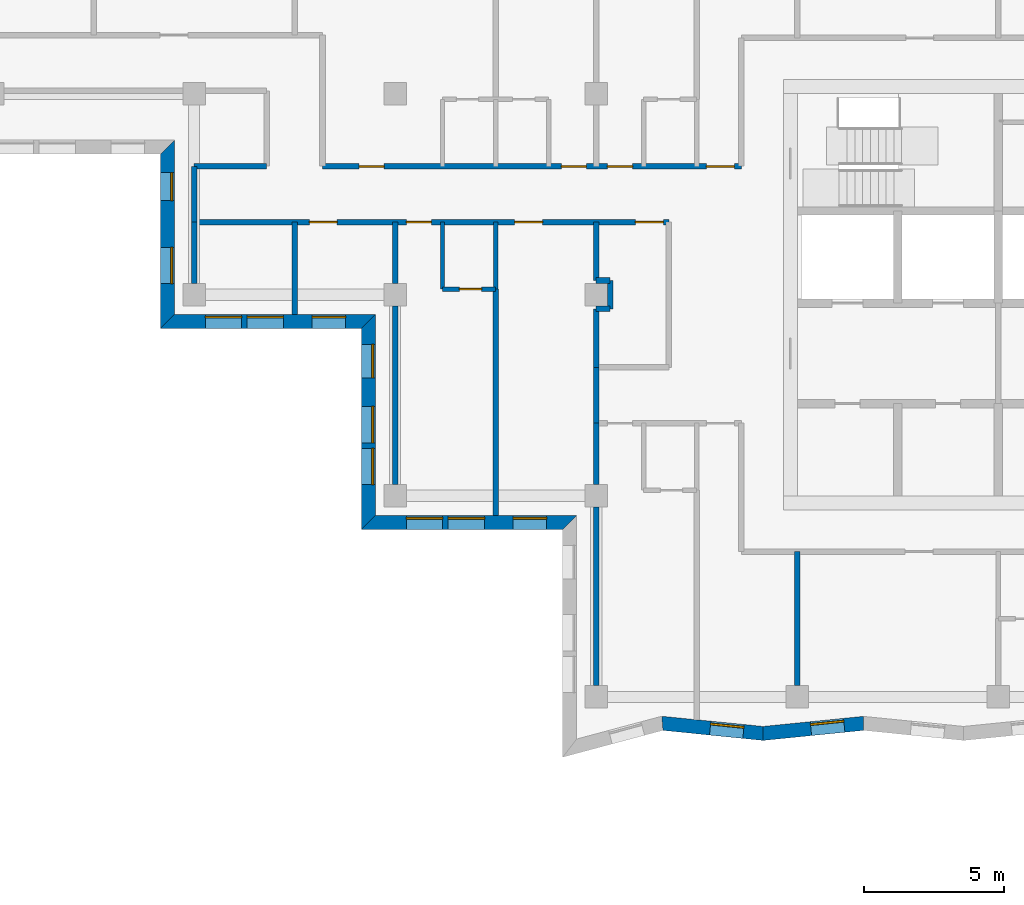
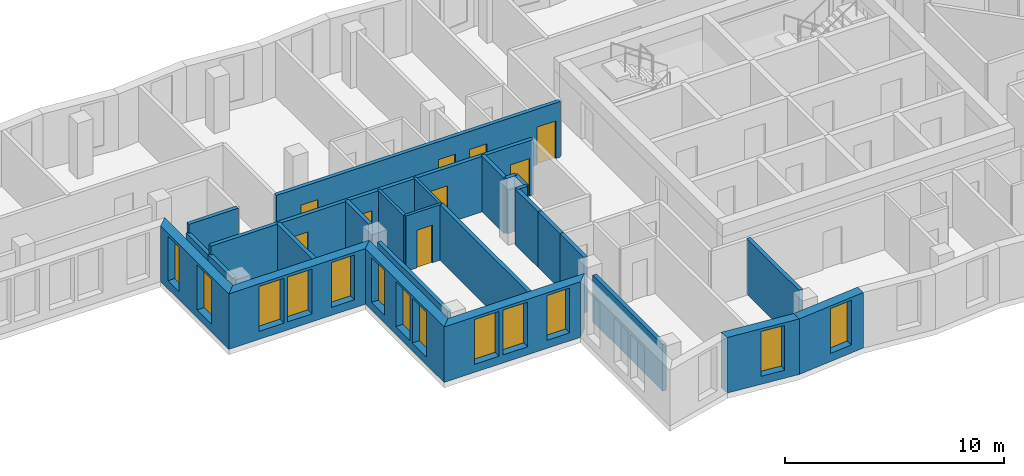
# One storey, part 2 of 11: 27 walls, 13 windows, 9 doors, 22 openings.
"""IFC4 building model written with IfcOpenShell, lengths in metres."""

from ifc_helpers import new_model, si_unit, direction, frame, frame_2d, origin, place, context, subcontext, project, spatial, polyline, rectangle, outline, extrude, material, layer, layer_set, type_object, element, fill, save


model = new_model("IFC4")

# Units and contexts
model_context = context("Model", 3, precision=1e-05, world=origin(), true_north=direction((0.0, 1.0)))
body_context = subcontext(model_context, "Body", "Model", "MODEL_VIEW")
ifc_project = project(units=[si_unit("LENGTHUNIT", "METRE"), si_unit("AREAUNIT", "SQUARE_METRE"), si_unit("VOLUMEUNIT", "CUBIC_METRE"), si_unit("PLANEANGLEUNIT", "RADIAN"), si_unit("MASSUNIT", "GRAM", prefix="KILO")], contexts=[model_context])

# Site, building, storey
site_placement = place(None, origin())
site = spatial("IfcSite", under=ifc_project, at=site_placement, CompositionType="ELEMENT")
building_placement = place(site_placement, origin())
building = spatial("IfcBuilding", under=site, at=building_placement, Name="Windrow Commons", CompositionType="ELEMENT")
storey_placement = place(building_placement, frame((0.0, 0.0, 196.4)))
storey = spatial("IfcBuildingStorey", under=building, at=storey_placement, Name="L53", CompositionType="ELEMENT", Elevation=196.4)

# Wall, openings, windows
ifc_material_1 = material(Name="Brick masonry, red clay brick", Category="masonry")
ifc_layer_1 = layer(ifc_material_1, 0.5)
ifc_layer_set_1 = layer_set([ifc_layer_1], Name="Brick facade wall 500")
wall_type_1 = type_object("IfcWallType", Name="Brick facade wall 500", PredefinedType="SOLIDWALL", material=ifc_layer_set_1)
wall_1_placement = place(storey_placement, frame((35.05, 62.889, 0.0), z_axis=(0.0, 0.0, 1.0), x_axis=(0.0, -1.0, 0.0)))
wall_1 = element("IfcWall", 1, at=wall_1_placement, inside=storey, type_object=wall_type_1, Name="Brick facade wall L53 35", PredefinedType="SOLIDWALL", context=body_context, shape_type="SweptSolid", body=[
    extrude(outline(polyline([(0.25, -0.25), (6.489, -0.25), (5.989, 0.25), (-0.25, 0.25), (0.25, -0.25)])), origin(), (0.0, 0.0, 1.0), 3.1),
])
opening_1_placement = place(wall_1_placement, frame((3.589, 0.0, 0.45)))
opening_1 = element("IfcOpeningElement", 2, at=opening_1_placement, cuts=wall_1, Name="Opening W1Q", PredefinedType="OPENING", context=body_context, shape_type="SweptSolid", body=[
    extrude(rectangle(XDim=1.3, YDim=2.5, at=frame_2d((0.65, 1.25))), frame((0.0, 0.26, 0.0), z_axis=(0.0, -1.0, 0.0), x_axis=(1.0, 0.0, 0.0)), (0.0, 0.0, 1.0), 0.52),
])
opening_2_placement = place(wall_1_placement, frame((0.914, 0.0, 0.45)))
opening_2 = element("IfcOpeningElement", 3, at=opening_2_placement, cuts=wall_1, Name="Opening W1S", PredefinedType="OPENING", context=body_context, shape_type="SweptSolid", body=[
    extrude(rectangle(XDim=1.0, YDim=2.5, at=frame_2d((0.5, 1.25))), frame((0.0, 0.26, 0.0), z_axis=(0.0, -1.0, 0.0), x_axis=(1.0, 0.0, 0.0)), (0.0, 0.0, 1.0), 0.52),
])
ifc_material_2 = material(Name="Clear float glass in anodised aluminium frame", Category="aluminium")
window_type_1 = type_object("IfcWindowType", Name="Window W1Q pair 1300x2500", PartitioningType="SINGLE_PANEL", PredefinedType="WINDOW", material=ifc_material_2)
window_1_placement = place(opening_1_placement, origin())
window_1 = element("IfcWindow", 4, at=window_1_placement, inside=storey, type_object=window_type_1, Name="Window L53 35.1B", OverallHeight=2.5, OverallWidth=1.3, PartitioningType="SINGLE_PANEL", PredefinedType="WINDOW", context=body_context, shape_type="SweptSolid", body=[
    extrude(rectangle(XDim=1.3, YDim=2.5, at=frame_2d((0.65, 1.25))), frame((0.0, 0.18, 0.0), z_axis=(0.0, -1.0, 0.0), x_axis=(1.0, 0.0, 0.0)), (0.0, 0.0, 1.0), 0.06),
])
fill(opening_1, window_1)
ifc_material_3 = material(Name="Clear float glass in anodised aluminium frame", Category="aluminium")
window_type_2 = type_object("IfcWindowType", Name="Window W1S slit 1000x2500", PartitioningType="SINGLE_PANEL", PredefinedType="WINDOW", material=ifc_material_3)
window_2_placement = place(opening_2_placement, origin())
window_2 = element("IfcWindow", 5, at=window_2_placement, inside=storey, type_object=window_type_2, Name="Window L53 35.2A", OverallHeight=2.5, OverallWidth=1.0, PartitioningType="SINGLE_PANEL", PredefinedType="WINDOW", context=body_context, shape_type="SweptSolid", body=[
    extrude(rectangle(XDim=1.0, YDim=2.5, at=frame_2d((0.5, 1.25))), frame((0.0, 0.18, 0.0), z_axis=(0.0, -1.0, 0.0), x_axis=(1.0, 0.0, 0.0)), (0.0, 0.0, 1.0), 0.06),
])
fill(opening_2, window_2)

wall_2_placement = place(storey_placement, frame((35.05, 56.65, 0.0), z_axis=(0.0, 0.0, 1.0), x_axis=(1.0, 0.0, 0.0)))
wall_2 = element("IfcWall", 6, at=wall_2_placement, inside=storey, type_object=wall_type_1, Name="Brick facade wall L53 36", PredefinedType="SOLIDWALL", context=body_context, shape_type="SweptSolid", body=[
    extrude(outline(polyline([(-0.25, -0.25), (6.95, -0.25), (7.45, 0.25), (0.25, 0.25), (-0.25, -0.25)])), origin(), (0.0, 0.0, 1.0), 3.1),
])
opening_3_placement = place(wall_2_placement, frame((1.35, 0.0, 0.45)))
opening_3 = element("IfcOpeningElement", 7, at=opening_3_placement, cuts=wall_2, Name="Opening W1Q", PredefinedType="OPENING", context=body_context, shape_type="SweptSolid", body=[
    extrude(rectangle(XDim=1.3, YDim=2.5, at=frame_2d((0.65, 1.25))), frame((0.0, 0.26, 0.0), z_axis=(0.0, -1.0, 0.0), x_axis=(1.0, 0.0, 0.0)), (0.0, 0.0, 1.0), 0.52),
])
opening_4_placement = place(wall_2_placement, frame((2.85, 0.0, 0.45)))
opening_4 = element("IfcOpeningElement", 8, at=opening_4_placement, cuts=wall_2, Name="Opening W1Q", PredefinedType="OPENING", context=body_context, shape_type="SweptSolid", body=[
    extrude(rectangle(XDim=1.3, YDim=2.5, at=frame_2d((0.65, 1.25))), frame((0.0, 0.26, 0.0), z_axis=(0.0, -1.0, 0.0), x_axis=(1.0, 0.0, 0.0)), (0.0, 0.0, 1.0), 0.52),
])
opening_5_placement = place(wall_2_placement, frame((5.175, 0.0, 0.45)))
opening_5 = element("IfcOpeningElement", 9, at=opening_5_placement, cuts=wall_2, Name="Opening W7E", PredefinedType="OPENING", context=body_context, shape_type="SweptSolid", body=[
    extrude(rectangle(XDim=1.2, YDim=2.5, at=frame_2d((0.6, 1.25))), frame((0.0, 0.26, 0.0), z_axis=(0.0, -1.0, 0.0), x_axis=(1.0, 0.0, 0.0)), (0.0, 0.0, 1.0), 0.52),
])
window_3_placement = place(opening_3_placement, origin())
window_3 = element("IfcWindow", 10, at=window_3_placement, inside=storey, type_object=window_type_1, Name="Window L53 36.1A", OverallHeight=2.5, OverallWidth=1.3, PartitioningType="SINGLE_PANEL", PredefinedType="WINDOW", context=body_context, shape_type="SweptSolid", body=[
    extrude(rectangle(XDim=1.3, YDim=2.5, at=frame_2d((0.65, 1.25))), frame((0.0, 0.18, 0.0), z_axis=(0.0, -1.0, 0.0), x_axis=(1.0, 0.0, 0.0)), (0.0, 0.0, 1.0), 0.06),
])
fill(opening_3, window_3)
window_4_placement = place(opening_4_placement, origin())
window_4 = element("IfcWindow", 11, at=window_4_placement, inside=storey, type_object=window_type_1, Name="Window L53 36.1B", OverallHeight=2.5, OverallWidth=1.3, PartitioningType="SINGLE_PANEL", PredefinedType="WINDOW", context=body_context, shape_type="SweptSolid", body=[
    extrude(rectangle(XDim=1.3, YDim=2.5, at=frame_2d((0.65, 1.25))), frame((0.0, 0.18, 0.0), z_axis=(0.0, -1.0, 0.0), x_axis=(1.0, 0.0, 0.0)), (0.0, 0.0, 1.0), 0.06),
])
fill(opening_4, window_4)
ifc_material_4 = material(Name="Clear float glass in anodised aluminium frame", Category="aluminium")
window_type_3 = type_object("IfcWindowType", Name="Window W7 notch 1200x2500", PartitioningType="SINGLE_PANEL", PredefinedType="WINDOW", material=ifc_material_4)
window_5_placement = place(opening_5_placement, origin())
window_5 = element("IfcWindow", 12, at=window_5_placement, inside=storey, type_object=window_type_3, Name="Window L53 36.2", OverallHeight=2.5, OverallWidth=1.2, PartitioningType="SINGLE_PANEL", PredefinedType="WINDOW", context=body_context, shape_type="SweptSolid", body=[
    extrude(rectangle(XDim=1.2, YDim=2.5, at=frame_2d((0.6, 1.25))), frame((0.0, 0.18, 0.0), z_axis=(0.0, -1.0, 0.0), x_axis=(1.0, 0.0, 0.0)), (0.0, 0.0, 1.0), 0.06),
])
fill(opening_5, window_5)

wall_3_placement = place(storey_placement, frame((42.25, 56.65, 0.0), z_axis=(0.0, 0.0, 1.0), x_axis=(0.0, -1.0, 0.0)))
wall_3 = element("IfcWall", 13, at=wall_3_placement, inside=storey, type_object=wall_type_1, Name="Brick facade wall L53 37", PredefinedType="SOLIDWALL", context=body_context, shape_type="SweptSolid", body=[
    extrude(outline(polyline([(0.25, -0.25), (7.45, -0.25), (6.95, 0.25), (-0.25, 0.25), (0.25, -0.25)])), origin(), (0.0, 0.0, 1.0), 3.1),
])
opening_6_placement = place(wall_3_placement, frame((3.05, 0.0, 0.45)))
opening_6 = element("IfcOpeningElement", 14, at=opening_6_placement, cuts=wall_3, Name="Opening W1Q", PredefinedType="OPENING", context=body_context, shape_type="SweptSolid", body=[
    extrude(rectangle(XDim=1.3, YDim=2.5, at=frame_2d((0.65, 1.25))), frame((0.0, 0.26, 0.0), z_axis=(0.0, -1.0, 0.0), x_axis=(1.0, 0.0, 0.0)), (0.0, 0.0, 1.0), 0.52),
])
opening_7_placement = place(wall_3_placement, frame((4.55, 0.0, 0.45)))
opening_7 = element("IfcOpeningElement", 15, at=opening_7_placement, cuts=wall_3, Name="Opening W1Q", PredefinedType="OPENING", context=body_context, shape_type="SweptSolid", body=[
    extrude(rectangle(XDim=1.3, YDim=2.5, at=frame_2d((0.65, 1.25))), frame((0.0, 0.26, 0.0), z_axis=(0.0, -1.0, 0.0), x_axis=(1.0, 0.0, 0.0)), (0.0, 0.0, 1.0), 0.52),
])
opening_8_placement = place(wall_3_placement, frame((0.825, 0.0, 0.45)))
opening_8 = element("IfcOpeningElement", 16, at=opening_8_placement, cuts=wall_3, Name="Opening W7E", PredefinedType="OPENING", context=body_context, shape_type="SweptSolid", body=[
    extrude(rectangle(XDim=1.2, YDim=2.5, at=frame_2d((0.6, 1.25))), frame((0.0, 0.26, 0.0), z_axis=(0.0, -1.0, 0.0), x_axis=(1.0, 0.0, 0.0)), (0.0, 0.0, 1.0), 0.52),
])
window_6_placement = place(opening_6_placement, origin())
window_6 = element("IfcWindow", 17, at=window_6_placement, inside=storey, type_object=window_type_1, Name="Window L53 37.1A", OverallHeight=2.5, OverallWidth=1.3, PartitioningType="SINGLE_PANEL", PredefinedType="WINDOW", context=body_context, shape_type="SweptSolid", body=[
    extrude(rectangle(XDim=1.3, YDim=2.5, at=frame_2d((0.65, 1.25))), frame((0.0, 0.18, 0.0), z_axis=(0.0, -1.0, 0.0), x_axis=(1.0, 0.0, 0.0)), (0.0, 0.0, 1.0), 0.06),
])
fill(opening_6, window_6)
window_7_placement = place(opening_7_placement, origin())
window_7 = element("IfcWindow", 18, at=window_7_placement, inside=storey, type_object=window_type_1, Name="Window L53 37.1B", OverallHeight=2.5, OverallWidth=1.3, PartitioningType="SINGLE_PANEL", PredefinedType="WINDOW", context=body_context, shape_type="SweptSolid", body=[
    extrude(rectangle(XDim=1.3, YDim=2.5, at=frame_2d((0.65, 1.25))), frame((0.0, 0.18, 0.0), z_axis=(0.0, -1.0, 0.0), x_axis=(1.0, 0.0, 0.0)), (0.0, 0.0, 1.0), 0.06),
])
fill(opening_7, window_7)
window_8_placement = place(opening_8_placement, origin())
window_8 = element("IfcWindow", 19, at=window_8_placement, inside=storey, type_object=window_type_3, Name="Window L53 37.2", OverallHeight=2.5, OverallWidth=1.2, PartitioningType="SINGLE_PANEL", PredefinedType="WINDOW", context=body_context, shape_type="SweptSolid", body=[
    extrude(rectangle(XDim=1.2, YDim=2.5, at=frame_2d((0.6, 1.25))), frame((0.0, 0.18, 0.0), z_axis=(0.0, -1.0, 0.0), x_axis=(1.0, 0.0, 0.0)), (0.0, 0.0, 1.0), 0.06),
])
fill(opening_8, window_8)

wall_4_placement = place(storey_placement, frame((42.25, 49.45, 0.0), z_axis=(0.0, 0.0, 1.0), x_axis=(1.0, 0.0, 0.0)))
wall_4 = element("IfcWall", 20, at=wall_4_placement, inside=storey, type_object=wall_type_1, Name="Brick facade wall L53 38", PredefinedType="SOLIDWALL", context=body_context, shape_type="SweptSolid", body=[
    extrude(outline(polyline([(-0.25, -0.25), (6.95, -0.25), (7.45, 0.25), (0.25, 0.25), (-0.25, -0.25)])), origin(), (0.0, 0.0, 1.0), 3.1),
])
opening_9_placement = place(wall_4_placement, frame((1.35, 0.0, 0.45)))
opening_9 = element("IfcOpeningElement", 21, at=opening_9_placement, cuts=wall_4, Name="Opening W1Q", PredefinedType="OPENING", context=body_context, shape_type="SweptSolid", body=[
    extrude(rectangle(XDim=1.3, YDim=2.5, at=frame_2d((0.65, 1.25))), frame((0.0, 0.26, 0.0), z_axis=(0.0, -1.0, 0.0), x_axis=(1.0, 0.0, 0.0)), (0.0, 0.0, 1.0), 0.52),
])
opening_10_placement = place(wall_4_placement, frame((2.85, 0.0, 0.45)))
opening_10 = element("IfcOpeningElement", 22, at=opening_10_placement, cuts=wall_4, Name="Opening W1Q", PredefinedType="OPENING", context=body_context, shape_type="SweptSolid", body=[
    extrude(rectangle(XDim=1.3, YDim=2.5, at=frame_2d((0.65, 1.25))), frame((0.0, 0.26, 0.0), z_axis=(0.0, -1.0, 0.0), x_axis=(1.0, 0.0, 0.0)), (0.0, 0.0, 1.0), 0.52),
])
opening_11_placement = place(wall_4_placement, frame((5.175, 0.0, 0.45)))
opening_11 = element("IfcOpeningElement", 23, at=opening_11_placement, cuts=wall_4, Name="Opening W7E", PredefinedType="OPENING", context=body_context, shape_type="SweptSolid", body=[
    extrude(rectangle(XDim=1.2, YDim=2.5, at=frame_2d((0.6, 1.25))), frame((0.0, 0.26, 0.0), z_axis=(0.0, -1.0, 0.0), x_axis=(1.0, 0.0, 0.0)), (0.0, 0.0, 1.0), 0.52),
])
window_9_placement = place(opening_9_placement, origin())
window_9 = element("IfcWindow", 24, at=window_9_placement, inside=storey, type_object=window_type_1, Name="Window L53 38.1A", OverallHeight=2.5, OverallWidth=1.3, PartitioningType="SINGLE_PANEL", PredefinedType="WINDOW", context=body_context, shape_type="SweptSolid", body=[
    extrude(rectangle(XDim=1.3, YDim=2.5, at=frame_2d((0.65, 1.25))), frame((0.0, 0.18, 0.0), z_axis=(0.0, -1.0, 0.0), x_axis=(1.0, 0.0, 0.0)), (0.0, 0.0, 1.0), 0.06),
])
fill(opening_9, window_9)
window_10_placement = place(opening_10_placement, origin())
window_10 = element("IfcWindow", 25, at=window_10_placement, inside=storey, type_object=window_type_1, Name="Window L53 38.1B", OverallHeight=2.5, OverallWidth=1.3, PartitioningType="SINGLE_PANEL", PredefinedType="WINDOW", context=body_context, shape_type="SweptSolid", body=[
    extrude(rectangle(XDim=1.3, YDim=2.5, at=frame_2d((0.65, 1.25))), frame((0.0, 0.18, 0.0), z_axis=(0.0, -1.0, 0.0), x_axis=(1.0, 0.0, 0.0)), (0.0, 0.0, 1.0), 0.06),
])
fill(opening_10, window_10)
window_11_placement = place(opening_11_placement, origin())
window_11 = element("IfcWindow", 26, at=window_11_placement, inside=storey, type_object=window_type_3, Name="Window L53 38.2", OverallHeight=2.5, OverallWidth=1.2, PartitioningType="SINGLE_PANEL", PredefinedType="WINDOW", context=body_context, shape_type="SweptSolid", body=[
    extrude(rectangle(XDim=1.2, YDim=2.5, at=frame_2d((0.6, 1.25))), frame((0.0, 0.18, 0.0), z_axis=(0.0, -1.0, 0.0), x_axis=(1.0, 0.0, 0.0)), (0.0, 0.0, 1.0), 0.06),
])
fill(opening_11, window_11)

# Wall, opening, window
wall_5_placement = place(storey_placement, frame((52.7691, 42.2533, 0.0), z_axis=(0.0, 0.0, 1.0), x_axis=(0.9949827385, -0.1000467394, 0.0)))
wall_5 = element("IfcWall", 27, at=wall_5_placement, inside=storey, type_object=wall_type_1, Name="Brick facade wall L53 41", PredefinedType="SOLIDWALL", context=body_context, shape_type="SweptSolid", body=[
    extrude(outline(polyline([(0.0457, -0.25), (3.6534, -0.25), (3.6032, 0.25), (-0.0457, 0.25), (0.0457, -0.25)])), origin(), (0.0, 0.0, 1.0), 3.1),
])
opening_12_placement = place(wall_5_placement, frame((1.7201, 0.0, 0.45)))
opening_12 = element("IfcOpeningElement", 28, at=opening_12_placement, cuts=wall_5, Name="Opening W7E", PredefinedType="OPENING", context=body_context, shape_type="SweptSolid", body=[
    extrude(rectangle(XDim=1.2, YDim=2.5, at=frame_2d((0.6, 1.25))), frame((0.0, 0.26, 0.0), z_axis=(0.0, -1.0, 0.0), x_axis=(1.0, 0.0, 0.0)), (0.0, 0.0, 1.0), 0.52),
])
window_12_placement = place(opening_12_placement, origin())
window_12 = element("IfcWindow", 29, at=window_12_placement, inside=storey, type_object=window_type_3, Name="Window L53 41.1", OverallHeight=2.5, OverallWidth=1.2, PartitioningType="SINGLE_PANEL", PredefinedType="WINDOW", context=body_context, shape_type="SweptSolid", body=[
    extrude(rectangle(XDim=1.2, YDim=2.5, at=frame_2d((0.6, 1.25))), frame((0.0, 0.18, 0.0), z_axis=(0.0, -1.0, 0.0), x_axis=(1.0, 0.0, 0.0)), (0.0, 0.0, 1.0), 0.06),
])
fill(opening_12, window_12)

wall_6_placement = place(storey_placement, frame((56.3792, 41.8903, 0.0), z_axis=(0.0, 0.0, 1.0), x_axis=(0.994981047, 0.1000635608, 0.0)))
wall_6 = element("IfcWall", 30, at=wall_6_placement, inside=storey, type_object=wall_type_1, Name="Brick facade wall L53 42", PredefinedType="SOLIDWALL", context=body_context, shape_type="SweptSolid", body=[
    extrude(outline(polyline([(-0.0251, -0.25), (3.5826, -0.25), (3.6329, 0.25), (0.0251, 0.25), (-0.0251, -0.25)])), origin(), (0.0, 0.0, 1.0), 3.1),
])
opening_13_placement = place(wall_6_placement, frame((1.7173, 0.0, 0.45)))
opening_13 = element("IfcOpeningElement", 31, at=opening_13_placement, cuts=wall_6, Name="Opening W7E", PredefinedType="OPENING", context=body_context, shape_type="SweptSolid", body=[
    extrude(rectangle(XDim=1.2, YDim=2.5, at=frame_2d((0.6, 1.25))), frame((0.0, 0.26, 0.0), z_axis=(0.0, -1.0, 0.0), x_axis=(1.0, 0.0, 0.0)), (0.0, 0.0, 1.0), 0.52),
])
window_13_placement = place(opening_13_placement, origin())
window_13 = element("IfcWindow", 32, at=window_13_placement, inside=storey, type_object=window_type_3, Name="Window L53 42.1", OverallHeight=2.5, OverallWidth=1.2, PartitioningType="SINGLE_PANEL", PredefinedType="WINDOW", context=body_context, shape_type="SweptSolid", body=[
    extrude(rectangle(XDim=1.2, YDim=2.5, at=frame_2d((0.6, 1.25))), frame((0.0, 0.18, 0.0), z_axis=(0.0, -1.0, 0.0), x_axis=(1.0, 0.0, 0.0)), (0.0, 0.0, 1.0), 0.06),
])
fill(opening_13, window_13)

# Wall, openings, doors
ifc_material_5 = material(Name="Blockwork partition", Category="masonry")
ifc_layer_2 = layer(ifc_material_5, 0.2)
ifc_layer_set_2 = layer_set([ifc_layer_2], Name="IW-CORRIDOR-200")
wall_type_2 = type_object("IfcWallType", Name="IW-CORRIDOR-200", PredefinedType="PARTITIONING", material=ifc_layer_set_2)
wall_7_placement = place(storey_placement, frame((36.0, 60.2, 0.0), z_axis=(0.0, 0.0, 1.0), x_axis=(1.0, 0.0, 0.0)))
wall_7 = element("IfcWall", 33, at=wall_7_placement, inside=storey, type_object=wall_type_2, Name="W-L53-W003", PredefinedType="PARTITIONING", context=body_context, shape_type="SweptSolid", body=[
    extrude(rectangle(XDim=17.0, YDim=0.2, at=frame_2d((8.5, 0.0))), origin(), (0.0, 0.0, 1.0), 3.1),
])
opening_14_placement = place(wall_7_placement, frame((4.125, 0.0, 0.0)))
opening_14 = element("IfcOpeningElement", 34, at=opening_14_placement, cuts=wall_7, Name="Opening D310F", PredefinedType="OPENING", context=body_context, shape_type="SweptSolid", body=[
    extrude(rectangle(XDim=1.0, YDim=2.1, at=frame_2d((0.5, 1.05))), frame((0.0, 0.11, 0.0), z_axis=(0.0, -1.0, 0.0), x_axis=(1.0, 0.0, 0.0)), (0.0, 0.0, 1.0), 0.22),
])
opening_15_placement = place(wall_7_placement, frame((7.6, 0.0, 0.0)))
opening_15 = element("IfcOpeningElement", 35, at=opening_15_placement, cuts=wall_7, Name="Opening D109S", PredefinedType="OPENING", context=body_context, shape_type="SweptSolid", body=[
    extrude(rectangle(XDim=0.9, YDim=2.1, at=frame_2d((0.45, 1.05))), frame((0.0, 0.11, 0.0), z_axis=(0.0, -1.0, 0.0), x_axis=(1.0, 0.0, 0.0)), (0.0, 0.0, 1.0), 0.22),
])
opening_16_placement = place(wall_7_placement, frame((11.48, 0.0, 0.0)))
opening_16 = element("IfcOpeningElement", 36, at=opening_16_placement, cuts=wall_7, Name="Opening D310F", PredefinedType="OPENING", context=body_context, shape_type="SweptSolid", body=[
    extrude(rectangle(XDim=1.0, YDim=2.1, at=frame_2d((0.5, 1.05))), frame((0.0, 0.11, 0.0), z_axis=(0.0, -1.0, 0.0), x_axis=(1.0, 0.0, 0.0)), (0.0, 0.0, 1.0), 0.22),
])
opening_17_placement = place(wall_7_placement, frame((15.805, 0.0, 0.0)))
opening_17 = element("IfcOpeningElement", 37, at=opening_17_placement, cuts=wall_7, Name="Opening D410F", PredefinedType="OPENING", context=body_context, shape_type="SweptSolid", body=[
    extrude(rectangle(XDim=1.0, YDim=2.1, at=frame_2d((0.5, 1.05))), frame((0.0, 0.11, 0.0), z_axis=(0.0, -1.0, 0.0), x_axis=(1.0, 0.0, 0.0)), (0.0, 0.0, 1.0), 0.22),
])
ifc_material_6 = material(Name="Timber door leaf", Category="wood")
door_type_1 = type_object("IfcDoorType", Name="DT-AMENITY-1000", OperationType="SINGLE_SWING_LEFT", PredefinedType="DOOR", material=ifc_material_6)
door_1_placement = place(opening_14_placement, origin())
door_1 = element("IfcDoor", 38, at=door_1_placement, inside=storey, type_object=door_type_1, Name="D-L53-D007", OperationType="SINGLE_SWING_RIGHT", OverallHeight=2.1, OverallWidth=1.0, PredefinedType="DOOR", context=body_context, shape_type="SweptSolid", body=[
    extrude(rectangle(XDim=1.0, YDim=2.1, at=frame_2d((0.5, 1.05))), frame((0.0, 0.025, 0.0), z_axis=(0.0, -1.0, 0.0), x_axis=(1.0, 0.0, 0.0)), (0.0, 0.0, 1.0), 0.05),
])
fill(opening_14, door_1)
door_2_placement = place(opening_16_placement, origin())
door_2 = element("IfcDoor", 39, at=door_2_placement, inside=storey, type_object=door_type_1, Name="D-L53-D020", OperationType="SINGLE_SWING_RIGHT", OverallHeight=2.1, OverallWidth=1.0, PredefinedType="DOOR", context=body_context, shape_type="SweptSolid", body=[
    extrude(rectangle(XDim=1.0, YDim=2.1, at=frame_2d((0.5, 1.05))), frame((0.0, 0.025, 0.0), z_axis=(0.0, -1.0, 0.0), x_axis=(1.0, 0.0, 0.0)), (0.0, 0.0, 1.0), 0.05),
])
fill(opening_16, door_2)
ifc_material_7 = material(Name="Timber door leaf", Category="wood")
door_type_2 = type_object("IfcDoorType", Name="DT-BEDROOM-900", OperationType="SINGLE_SWING_LEFT", PredefinedType="DOOR", material=ifc_material_7)
door_3_placement = place(opening_15_placement, origin())
door_3 = element("IfcDoor", 40, at=door_3_placement, inside=storey, type_object=door_type_2, Name="D-L53-D008", OperationType="SINGLE_SWING_LEFT", OverallHeight=2.1, OverallWidth=0.9, PredefinedType="DOOR", context=body_context, shape_type="SweptSolid", body=[
    extrude(rectangle(XDim=0.9, YDim=2.1, at=frame_2d((0.45, 1.05))), frame((0.0, 0.025, 0.0), z_axis=(0.0, -1.0, 0.0), x_axis=(1.0, 0.0, 0.0)), (0.0, 0.0, 1.0), 0.05),
])
fill(opening_15, door_3)
ifc_material_8 = material(Name="Timber door leaf", Category="wood")
door_type_3 = type_object("IfcDoorType", Name="DT-SERVICE-1000", OperationType="SINGLE_SWING_LEFT", PredefinedType="DOOR", material=ifc_material_8)
door_4_placement = place(opening_17_placement, origin())
door_4 = element("IfcDoor", 41, at=door_4_placement, inside=storey, type_object=door_type_3, Name="D-L53-D021", OperationType="SINGLE_SWING_LEFT", OverallHeight=2.1, OverallWidth=1.0, PredefinedType="DOOR", context=body_context, shape_type="SweptSolid", body=[
    extrude(rectangle(XDim=1.0, YDim=2.1, at=frame_2d((0.5, 1.05))), frame((0.0, 0.025, 0.0), z_axis=(0.0, -1.0, 0.0), x_axis=(1.0, 0.0, 0.0)), (0.0, 0.0, 1.0), 0.05),
])
fill(opening_17, door_4)

wall_8_placement = place(storey_placement, frame((40.602, 62.2, 0.0), z_axis=(0.0, 0.0, 1.0), x_axis=(1.0, 0.0, 0.0)))
wall_8 = element("IfcWall", 42, at=wall_8_placement, inside=storey, type_object=wall_type_2, Name="W-L53-W004", PredefinedType="PARTITIONING", context=body_context, shape_type="SweptSolid", body=[
    extrude(rectangle(XDim=14.998, YDim=0.2, at=frame_2d((7.499, 0.0))), origin(), (0.0, 0.0, 1.0), 3.1),
])
opening_18_placement = place(wall_8_placement, frame((1.3056, 0.0, 0.0)))
opening_18 = element("IfcOpeningElement", 43, at=opening_18_placement, cuts=wall_8, Name="Opening D109F", PredefinedType="OPENING", context=body_context, shape_type="SweptSolid", body=[
    extrude(rectangle(XDim=0.9, YDim=2.1, at=frame_2d((0.45, 1.05))), frame((0.0, 0.11, 0.0), z_axis=(0.0, -1.0, 0.0), x_axis=(1.0, 0.0, 0.0)), (0.0, 0.0, 1.0), 0.22),
])
opening_19_placement = place(wall_8_placement, frame((8.548, 0.0, 0.0)))
opening_19 = element("IfcOpeningElement", 44, at=opening_19_placement, cuts=wall_8, Name="Opening D109S", PredefinedType="OPENING", context=body_context, shape_type="SweptSolid", body=[
    extrude(rectangle(XDim=0.9, YDim=2.1, at=frame_2d((0.45, 1.05))), frame((0.0, 0.11, 0.0), z_axis=(0.0, -1.0, 0.0), x_axis=(1.0, 0.0, 0.0)), (0.0, 0.0, 1.0), 0.22),
])
opening_20_placement = place(wall_8_placement, frame((10.198, 0.0, 0.0)))
opening_20 = element("IfcOpeningElement", 45, at=opening_20_placement, cuts=wall_8, Name="Opening D109S", PredefinedType="OPENING", context=body_context, shape_type="SweptSolid", body=[
    extrude(rectangle(XDim=0.9, YDim=2.1, at=frame_2d((0.45, 1.05))), frame((0.0, 0.11, 0.0), z_axis=(0.0, -1.0, 0.0), x_axis=(1.0, 0.0, 0.0)), (0.0, 0.0, 1.0), 0.22),
])
opening_21_placement = place(wall_8_placement, frame((13.7456, 0.0, 0.0)))
opening_21 = element("IfcOpeningElement", 46, at=opening_21_placement, cuts=wall_8, Name="Opening D310F", PredefinedType="OPENING", context=body_context, shape_type="SweptSolid", body=[
    extrude(rectangle(XDim=1.0, YDim=2.1, at=frame_2d((0.5, 1.05))), frame((0.0, 0.11, 0.0), z_axis=(0.0, -1.0, 0.0), x_axis=(1.0, 0.0, 0.0)), (0.0, 0.0, 1.0), 0.22),
])
door_5_placement = place(opening_21_placement, origin())
door_5 = element("IfcDoor", 47, at=door_5_placement, inside=storey, type_object=door_type_1, Name="D-L53-D016", OperationType="SINGLE_SWING_LEFT", OverallHeight=2.1, OverallWidth=1.0, PredefinedType="DOOR", context=body_context, shape_type="SweptSolid", body=[
    extrude(rectangle(XDim=1.0, YDim=2.1, at=frame_2d((0.5, 1.05))), frame((0.0, 0.025, 0.0), z_axis=(0.0, -1.0, 0.0), x_axis=(1.0, 0.0, 0.0)), (0.0, 0.0, 1.0), 0.05),
])
fill(opening_21, door_5)
door_6_placement = place(opening_18_placement, origin())
door_6 = element("IfcDoor", 48, at=door_6_placement, inside=storey, type_object=door_type_2, Name="D-L53-D010", OperationType="SINGLE_SWING_LEFT", OverallHeight=2.1, OverallWidth=0.9, PredefinedType="DOOR", context=body_context, shape_type="SweptSolid", body=[
    extrude(rectangle(XDim=0.9, YDim=2.1, at=frame_2d((0.45, 1.05))), frame((0.0, 0.025, 0.0), z_axis=(0.0, -1.0, 0.0), x_axis=(1.0, 0.0, 0.0)), (0.0, 0.0, 1.0), 0.05),
])
fill(opening_18, door_6)
door_7_placement = place(opening_19_placement, origin())
door_7 = element("IfcDoor", 49, at=door_7_placement, inside=storey, type_object=door_type_2, Name="D-L53-D012", OperationType="SINGLE_SWING_LEFT", OverallHeight=2.1, OverallWidth=0.9, PredefinedType="DOOR", context=body_context, shape_type="SweptSolid", body=[
    extrude(rectangle(XDim=0.9, YDim=2.1, at=frame_2d((0.45, 1.05))), frame((0.0, 0.025, 0.0), z_axis=(0.0, -1.0, 0.0), x_axis=(1.0, 0.0, 0.0)), (0.0, 0.0, 1.0), 0.05),
])
fill(opening_19, door_7)
door_8_placement = place(opening_20_placement, origin())
door_8 = element("IfcDoor", 50, at=door_8_placement, inside=storey, type_object=door_type_2, Name="D-L53-D014", OperationType="SINGLE_SWING_RIGHT", OverallHeight=2.1, OverallWidth=0.9, PredefinedType="DOOR", context=body_context, shape_type="SweptSolid", body=[
    extrude(rectangle(XDim=0.9, YDim=2.1, at=frame_2d((0.45, 1.05))), frame((0.0, 0.025, 0.0), z_axis=(0.0, -1.0, 0.0), x_axis=(1.0, 0.0, 0.0)), (0.0, 0.0, 1.0), 0.05),
])
fill(opening_20, door_8)

# Walls
wall_9_placement = place(storey_placement, frame((36.0, 62.2, 0.0), z_axis=(0.0, 0.0, 1.0), x_axis=(1.0, 0.0, 0.0)))
element("IfcWall", 51, at=wall_9_placement, inside=storey, type_object=wall_type_2, Name="W-L53-W057", PredefinedType="PARTITIONING", context=body_context, shape_type="SweptSolid", body=[
    extrude(rectangle(XDim=2.6, YDim=0.2, at=frame_2d((1.3, 0.0))), origin(), (0.0, 0.0, 1.0), 3.1),
])
wall_10_placement = place(storey_placement, frame((36.0, 60.2, 0.0), z_axis=(0.0, 0.0, 1.0), x_axis=(0.0, 1.0, 0.0)))
element("IfcWall", 52, at=wall_10_placement, inside=storey, type_object=wall_type_2, Name="W-L53-W098", PredefinedType="PARTITIONING", context=body_context, shape_type="SweptSolid", body=[
    extrude(rectangle(XDim=2.0, YDim=0.2, at=frame_2d((1.0, 0.0))), origin(), (0.0, 0.0, 1.0), 2.6),
])
wall_11_placement = place(storey_placement, frame((50.4, 53.0, 0.0), z_axis=(0.0, 0.0, 1.0), x_axis=(0.0, 1.0, 0.0)))
element("IfcWall", 53, at=wall_11_placement, inside=storey, type_object=wall_type_2, Name="W-L53-W099", PredefinedType="PARTITIONING", context=body_context, shape_type="SweptSolid", body=[
    extrude(rectangle(XDim=2.0, YDim=0.2, at=frame_2d((1.0, 0.0))), origin(), (0.0, 0.0, 1.0), 3.1),
])
ifc_material_9 = material(Name="Blockwork partition", Category="masonry")
ifc_layer_3 = layer(ifc_material_9, 0.15)
ifc_layer_set_3 = layer_set([ifc_layer_3], Name="IW-ENSUITE-150")
wall_type_3 = type_object("IfcWallType", Name="IW-ENSUITE-150", PredefinedType="PARTITIONING", material=ifc_layer_set_3)
for number, where, z_axis, x_axis, name in (
    (54, (44.9, 57.8, 0.0), (0.0, 0.0, 1.0), (0.0, 1.0, 0.0), "W-L53-W064"),
    (55, (46.8, 57.8, 0.0), (0.0, 0.0, 1.0), (0.0, 1.0, 0.0), "W-L53-W065"),
):
    element("IfcWall", number, at=place(storey_placement, frame(where, z_axis=z_axis, x_axis=x_axis)), inside=storey, type_object=wall_type_3, Name=name, PredefinedType="PARTITIONING", context=body_context, shape_type="SweptSolid", body=[
        extrude(rectangle(XDim=2.4, YDim=0.15, at=frame_2d((1.2, 0.0))), origin(), (0.0, 0.0, 1.0), 3.1),
    ])

# Wall, opening, door
wall_12_placement = place(storey_placement, frame((44.9, 57.8, 0.0), z_axis=(0.0, 0.0, 1.0), x_axis=(1.0, 0.0, 0.0)))
wall_12 = element("IfcWall", 56, at=wall_12_placement, inside=storey, type_object=wall_type_3, Name="W-L53-W107", PredefinedType="PARTITIONING", context=body_context, shape_type="SweptSolid", body=[
    extrude(rectangle(XDim=1.9, YDim=0.15, at=frame_2d((0.95, 0.0))), origin(), (0.0, 0.0, 1.0), 3.1),
])
opening_22_placement = place(wall_12_placement, frame((0.5979, 0.0, 0.0)))
opening_22 = element("IfcOpeningElement", 57, at=opening_22_placement, cuts=wall_12, Name="Opening D208N", PredefinedType="OPENING", context=body_context, shape_type="SweptSolid", body=[
    extrude(rectangle(XDim=0.8, YDim=2.1, at=frame_2d((0.4, 1.05))), frame((0.0, 0.085, 0.0), z_axis=(0.0, -1.0, 0.0), x_axis=(1.0, 0.0, 0.0)), (0.0, 0.0, 1.0), 0.17),
])
ifc_material_10 = material(Name="Timber door leaf", Category="wood")
door_type_4 = type_object("IfcDoorType", Name="DT-ENSUITE-800", OperationType="SINGLE_SWING_LEFT", PredefinedType="DOOR", material=ifc_material_10)
door_9_placement = place(opening_22_placement, origin())
door_9 = element("IfcDoor", 58, at=door_9_placement, inside=storey, type_object=door_type_4, Name="D-L53-D009", OperationType="SINGLE_SWING_RIGHT", OverallHeight=2.1, OverallWidth=0.8, PredefinedType="DOOR", context=body_context, shape_type="SweptSolid", body=[
    extrude(rectangle(XDim=0.8, YDim=2.1, at=frame_2d((0.4, 1.05))), frame((0.0, 0.025, 0.0), z_axis=(0.0, -1.0, 0.0), x_axis=(1.0, 0.0, 0.0)), (0.0, 0.0, 1.0), 0.05),
])
fill(opening_22, door_9)

# Walls
ifc_material_11 = material(Name="Blockwork partition", Category="masonry")
ifc_layer_4 = layer(ifc_material_11, 0.2)
ifc_layer_set_4 = layer_set([ifc_layer_4], Name="IW-PARTY-200")
wall_type_4 = type_object("IfcWallType", Name="IW-PARTY-200", PredefinedType="PARTITIONING", material=ifc_layer_set_4)
wall_13_placement = place(storey_placement, frame((46.8, 49.7, 0.0), z_axis=(0.0, 0.0, 1.0), x_axis=(0.0, 1.0, 0.0)))
element("IfcWall", 59, at=wall_13_placement, inside=storey, type_object=wall_type_4, Name="W-L53-W015", PredefinedType="PARTITIONING", context=body_context, shape_type="SweptSolid", body=[
    extrude(rectangle(XDim=8.1, YDim=0.2, at=frame_2d((4.05, 0.0))), origin(), (0.0, 0.0, 1.0), 3.1),
])
for number, where, z_axis, x_axis, name in (
    (60, (43.2, 50.8, 0.0), (0.0, 0.0, 1.0), (0.0, 1.0, 0.0), "W-L53-W017"),
    (61, (50.4, 43.6, 0.0), (0.0, 0.0, 1.0), (0.0, 1.0, 0.0), "W-L53-W020"),
):
    element("IfcWall", number, at=place(storey_placement, frame(where, z_axis=z_axis, x_axis=x_axis)), inside=storey, type_object=wall_type_4, Name=name, PredefinedType="PARTITIONING", context=body_context, shape_type="SweptSolid", body=[
        extrude(rectangle(XDim=6.4, YDim=0.2, at=frame_2d((3.2, 0.0))), origin(), (0.0, 0.0, 1.0), 2.6),
    ])
wall_14_placement = place(storey_placement, frame((57.6, 43.6, 0.0), z_axis=(0.0, 0.0, 1.0), x_axis=(0.0, 1.0, 0.0)))
element("IfcWall", 62, at=wall_14_placement, inside=storey, type_object=wall_type_4, Name="W-L53-W037", PredefinedType="PARTITIONING", context=body_context, shape_type="SweptSolid", body=[
    extrude(rectangle(XDim=4.8, YDim=0.2, at=frame_2d((2.4, 0.0))), origin(), (0.0, 0.0, 1.0), 3.1),
])
wall_15_placement = place(storey_placement, frame((39.6, 56.9, 0.0), z_axis=(0.0, 0.0, 1.0), x_axis=(0.0, 1.0, 0.0)))
element("IfcWall", 63, at=wall_15_placement, inside=storey, type_object=wall_type_4, Name="W-L53-W052", PredefinedType="PARTITIONING", context=body_context, shape_type="SweptSolid", body=[
    extrude(rectangle(XDim=3.3, YDim=0.2, at=frame_2d((1.65, 0.0))), origin(), (0.0, 0.0, 1.0), 3.1),
])
wall_16_placement = place(storey_placement, frame((36.0, 58.0, 0.0), z_axis=(0.0, 0.0, 1.0), x_axis=(0.0, 1.0, 0.0)))
element("IfcWall", 64, at=wall_16_placement, inside=storey, type_object=wall_type_4, Name="W-L53-W087", PredefinedType="PARTITIONING", context=body_context, shape_type="SweptSolid", body=[
    extrude(rectangle(XDim=2.2, YDim=0.2, at=frame_2d((1.1, 0.0))), origin(), (0.0, 0.0, 1.0), 2.6),
])
for number, where, z_axis, x_axis, name in (
    (65, (43.2, 58.0, 0.0), (0.0, 0.0, 1.0), (0.0, 1.0, 0.0), "W-L53-W088"),
    (66, (50.4, 50.8, 0.0), (0.0, 0.0, 1.0), (0.0, 1.0, 0.0), "W-L53-W089"),
):
    element("IfcWall", number, at=place(storey_placement, frame(where, z_axis=z_axis, x_axis=x_axis)), inside=storey, type_object=wall_type_4, Name=name, PredefinedType="PARTITIONING", context=body_context, shape_type="SweptSolid", body=[
        extrude(rectangle(XDim=2.2, YDim=0.2, at=frame_2d((1.1, 0.0))), origin(), (0.0, 0.0, 1.0), 3.1),
    ])
wall_17_placement = place(storey_placement, frame((50.4, 55.0, 0.0), z_axis=(0.0, 0.0, 1.0), x_axis=(0.0, 1.0, 0.0)))
element("IfcWall", 67, at=wall_17_placement, inside=storey, type_object=wall_type_4, Name="W-L53-W092", PredefinedType="PARTITIONING", context=body_context, shape_type="SweptSolid", body=[
    extrude(rectangle(XDim=2.096, YDim=0.2, at=frame_2d((1.048, 0.0))), origin(), (0.0, 0.0, 1.0), 3.1),
])
wall_18_placement = place(storey_placement, frame((50.4, 58.106, 0.0), z_axis=(0.0, 0.0, 1.0), x_axis=(0.0, 1.0, 0.0)))
element("IfcWall", 68, at=wall_18_placement, inside=storey, type_object=wall_type_4, Name="W-L53-W093", PredefinedType="PARTITIONING", context=body_context, shape_type="SweptSolid", body=[
    extrude(rectangle(XDim=2.094, YDim=0.2, at=frame_2d((1.047, 0.0))), origin(), (0.0, 0.0, 1.0), 3.1),
])
wall_19_placement = place(storey_placement, frame((50.9, 57.096, 0.0), z_axis=(0.0, 0.0, 1.0), x_axis=(0.0, 1.0, 0.0)))
element("IfcWall", 69, at=wall_19_placement, inside=storey, type_object=wall_type_4, Name="W-L53-W122", PredefinedType="PARTITIONING", context=body_context, shape_type="SweptSolid", body=[
    extrude(rectangle(XDim=1.01, YDim=0.2, at=frame_2d((0.505, 0.0))), origin(), (0.0, 0.0, 1.0), 3.1),
])
for number, where, z_axis, x_axis, name in (
    (70, (50.4, 58.11, 0.0), (0.0, 0.0, 1.0), (1.0, 0.0, 0.0), "W-L53-W130"),
    (71, (50.4, 57.1, 0.0), (0.0, 0.0, 1.0), (1.0, 0.0, 0.0), "W-L53-W131"),
):
    element("IfcWall", number, at=place(storey_placement, frame(where, z_axis=z_axis, x_axis=x_axis)), inside=storey, type_object=wall_type_4, Name=name, PredefinedType="PARTITIONING", context=body_context, shape_type="SweptSolid", body=[
        extrude(rectangle(XDim=0.5, YDim=0.2, at=frame_2d((0.25, 0.0))), origin(), (0.0, 0.0, 1.0), 3.1),
    ])

save(model, "model.ifc")
